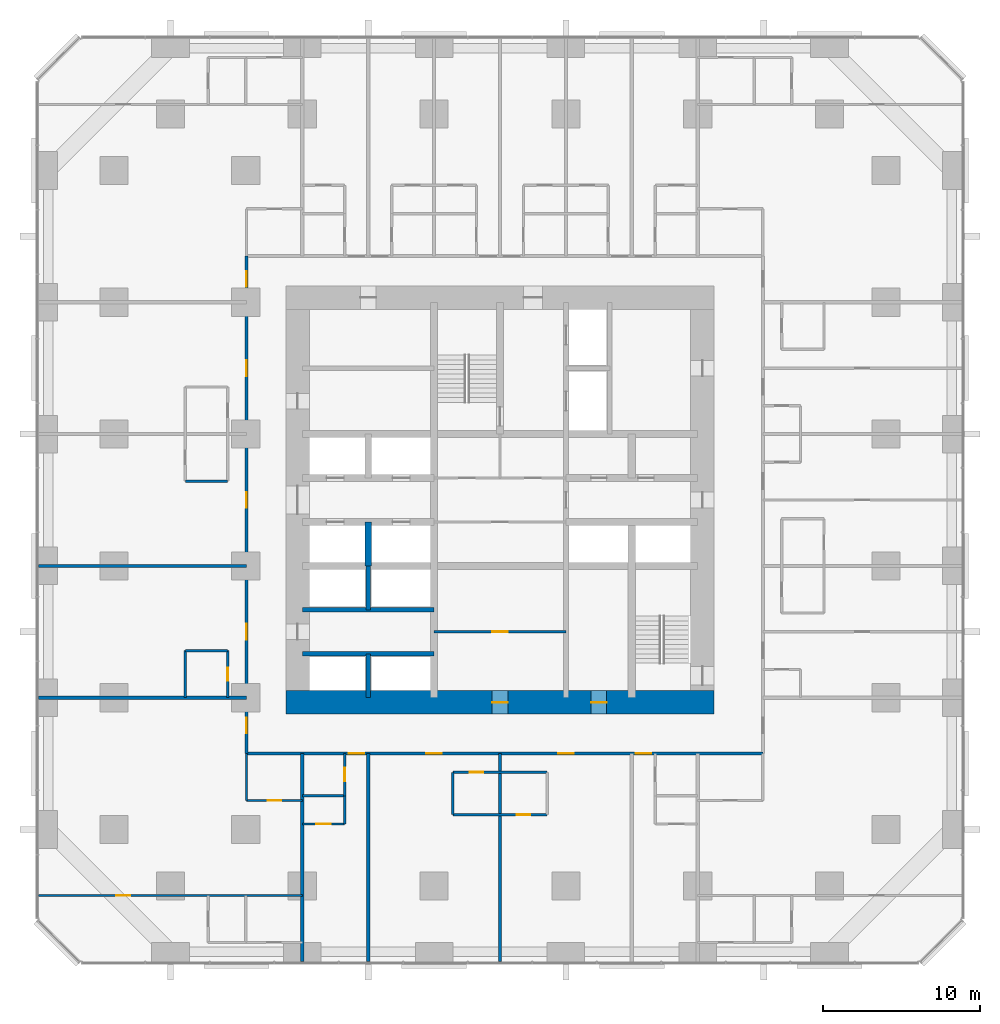
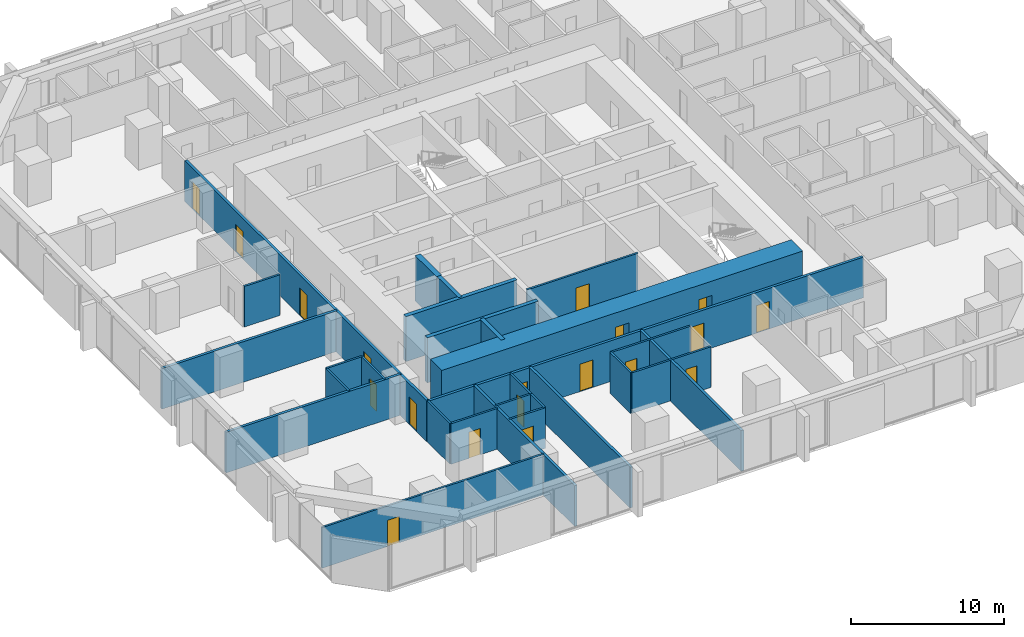
# One storey, part 11 of 17: 28 walls, 19 doors, 19 openings.
"""IFC4 building model written with IfcOpenShell, lengths in metres."""

from ifc_helpers import new_model, si_unit, direction, frame, frame_2d, origin, place, context, subcontext, project, spatial, rectangle, extrude, material, layer, layer_set, type_object, element, fill, save


model = new_model("IFC4")

# Units and contexts
model_context = context("Model", 3, precision=1e-05, world=origin(), true_north=direction((0.0, 1.0)))
body_context = subcontext(model_context, "Body", "Model", "MODEL_VIEW")
ifc_project = project(units=[si_unit("LENGTHUNIT", "METRE"), si_unit("AREAUNIT", "SQUARE_METRE"), si_unit("VOLUMEUNIT", "CUBIC_METRE"), si_unit("PLANEANGLEUNIT", "RADIAN"), si_unit("MASSUNIT", "GRAM", prefix="KILO")], contexts=[model_context])

# Site, building, storey
site_placement = place(None, origin())
site = spatial("IfcSite", under=ifc_project, at=site_placement, CompositionType="ELEMENT")
building_placement = place(site_placement, origin())
building = spatial("IfcBuilding", under=site, at=building_placement, Name="Dunama Terrace Hotel", CompositionType="ELEMENT")
storey_placement = place(building_placement, frame((0.0, 0.0, 66.60009765625)))
storey = spatial("IfcBuildingStorey", under=building, at=storey_placement, Name="L16", CompositionType="ELEMENT", Elevation=66.60009765625)

# Wall
ifc_material_1 = material(Name="Gypsum board partition", Category="masonry")
ifc_layer_1 = layer(ifc_material_1, 0.14990234375)
ifc_layer_set_1 = layer_set([ifc_layer_1], Name="Bathroom partition 150")
wall_type_1 = type_object("IfcWallType", Name="Bathroom partition 150", PredefinedType="PARTITIONING", material=ifc_layer_set_1)
wall_1_placement = place(storey_placement, frame((9.35009765625, 16.800048828125, 0.0), z_axis=(0.0, 0.0, 1.0), x_axis=(0.0, 1.0, 0.0)))
element("IfcWall", 1, at=wall_1_placement, inside=storey, type_object=wall_type_1, Name="Bathroom partition 150 L16", PredefinedType="PARTITIONING", context=body_context, shape_type="SweptSolid", body=[
    extrude(rectangle(XDim=3.0, YDim=0.14990234375, at=frame_2d((1.5, 0.0))), origin(), (0.0, 0.0, 1.0), 3.25),
])

# Wall, opening, door
wall_2_placement = place(storey_placement, frame((12.050048828125, 16.800048828125, 0.0), z_axis=(0.0, 0.0, 1.0), x_axis=(0.0, 1.0, 0.0)))
wall_2 = element("IfcWall", 2, at=wall_2_placement, inside=storey, type_object=wall_type_1, Name="Bathroom partition 150 L16", PredefinedType="PARTITIONING", context=body_context, shape_type="SweptSolid", body=[
    extrude(rectangle(XDim=3.0, YDim=0.14990234375, at=frame_2d((1.5, 0.0))), origin(), (0.0, 0.0, 1.0), 3.25),
])
opening_1_placement = place(wall_2_placement, frame((1.074951171875, 0.0, 0.0)))
opening_1 = element("IfcOpeningElement", 3, at=opening_1_placement, cuts=wall_2, Name="Opening L15-16-050", PredefinedType="OPENING", context=body_context, shape_type="SweptSolid", body=[
    extrude(rectangle(XDim=0.85009765625, YDim=2.10009765625, at=frame_2d((0.425048828125, 1.050048828125))), frame((0.0, 0.0849609375, 0.0), z_axis=(0.0, -1.0, 0.0), x_axis=(1.0, 0.0, 0.0)), (0.0, 0.0, 1.0), 0.169921875),
])
ifc_material_2 = material(Name="Timber door with steel frame", Category="steel")
door_type_1 = type_object("IfcDoorType", Name="Bathroom door 850", OperationType="SINGLE_SWING_LEFT", PredefinedType="DOOR", material=ifc_material_2)
door_1_placement = place(opening_1_placement, origin())
door_1 = element("IfcDoor", 4, at=door_1_placement, inside=storey, type_object=door_type_1, Name="Door to en-suite bathroom L15-16-050, type D2", OperationType="SINGLE_SWING_LEFT", OverallHeight=2.10009765625, OverallWidth=0.85009765625, PredefinedType="DOOR", context=body_context, shape_type="SweptSolid", body=[
    extrude(rectangle(XDim=0.85009765625, YDim=2.10009765625, at=frame_2d((0.425048828125, 1.050048828125))), frame((0.0, 0.02490234375, 0.0), z_axis=(0.0, -1.0, 0.0), x_axis=(1.0, 0.0, 0.0)), (0.0, 0.0, 1.0), 0.050048828125),
])
fill(opening_1, door_1)

# Wall
wall_3_placement = place(storey_placement, frame((13.25, 10.25, 0.0), z_axis=(0.0, 0.0, 1.0), x_axis=(0.0, 1.0, 0.0)))
element("IfcWall", 5, at=wall_3_placement, inside=storey, type_object=wall_type_1, Name="Bathroom partition 150 L16", PredefinedType="PARTITIONING", context=body_context, shape_type="SweptSolid", body=[
    extrude(rectangle(XDim=3.0, YDim=0.14990234375, at=frame_2d((1.5, 0.0))), origin(), (0.0, 0.0, 1.0), 3.25),
])

# Wall, opening, door
wall_4_placement = place(storey_placement, frame((19.5, 10.550048828125, 0.0), z_axis=(0.0, 0.0, 1.0), x_axis=(0.0, 1.0, 0.0)))
wall_4 = element("IfcWall", 6, at=wall_4_placement, inside=storey, type_object=wall_type_1, Name="Bathroom partition 150 L16", PredefinedType="PARTITIONING", context=body_context, shape_type="SweptSolid", body=[
    extrude(rectangle(XDim=2.699951171875, YDim=0.14990234375, at=frame_2d((1.35009765625, 0.0))), origin(), (0.0, 0.0, 1.0), 3.25),
])
opening_2_placement = place(wall_4_placement, frame((0.925048828125, 0.0, 0.0)))
opening_2 = element("IfcOpeningElement", 7, at=opening_2_placement, cuts=wall_4, Name="Opening L15-16-010", PredefinedType="OPENING", context=body_context, shape_type="SweptSolid", body=[
    extrude(rectangle(XDim=0.85009765625, YDim=2.10009765625, at=frame_2d((0.425048828125, 1.050048828125))), frame((0.0, 0.0849609375, 0.0), z_axis=(0.0, -1.0, 0.0), x_axis=(1.0, 0.0, 0.0)), (0.0, 0.0, 1.0), 0.169921875),
])
door_2_placement = place(opening_2_placement, origin())
door_2 = element("IfcDoor", 8, at=door_2_placement, inside=storey, type_object=door_type_1, Name="Door to en-suite bathroom L15-16-010, type D2", OperationType="SINGLE_SWING_RIGHT", OverallHeight=2.10009765625, OverallWidth=0.85009765625, PredefinedType="DOOR", context=body_context, shape_type="SweptSolid", body=[
    extrude(rectangle(XDim=0.85009765625, YDim=2.10009765625, at=frame_2d((0.425048828125, 1.050048828125))), frame((0.0, 0.02490234375, 0.0), z_axis=(0.0, -1.0, 0.0), x_axis=(1.0, 0.0, 0.0)), (0.0, 0.0, 1.0), 0.050048828125),
])
fill(opening_2, door_2)

# Wall
wall_5_placement = place(storey_placement, frame((26.39990234375, 9.35009765625, 0.0), z_axis=(0.0, 0.0, 1.0), x_axis=(0.0, 1.0, 0.0)))
element("IfcWall", 9, at=wall_5_placement, inside=storey, type_object=wall_type_1, Name="Bathroom partition 150 L16", PredefinedType="PARTITIONING", context=body_context, shape_type="SweptSolid", body=[
    extrude(rectangle(XDim=2.699951171875, YDim=0.14990234375, at=frame_2d((1.35009765625, 0.0))), origin(), (0.0, 0.0, 1.0), 3.25),
])

# Wall, opening, door
wall_6_placement = place(storey_placement, frame((26.39990234375, 9.35009765625, 0.0), z_axis=(0.0, 0.0, 1.0), x_axis=(1.0, 0.0, 0.0)))
wall_6 = element("IfcWall", 10, at=wall_6_placement, inside=storey, type_object=wall_type_1, Name="Bathroom partition 150 L16", PredefinedType="PARTITIONING", context=body_context, shape_type="SweptSolid", body=[
    extrude(rectangle(XDim=6.0, YDim=0.14990234375, at=frame_2d((3.0, 0.0))), origin(), (0.0, 0.0, 1.0), 3.25),
])
opening_3_placement = place(wall_6_placement, frame((4.074951171875, 0.0, 0.0)))
opening_3 = element("IfcOpeningElement", 11, at=opening_3_placement, cuts=wall_6, Name="Opening L15-16-015", PredefinedType="OPENING", context=body_context, shape_type="SweptSolid", body=[
    extrude(rectangle(XDim=0.85009765625, YDim=2.10009765625, at=frame_2d((0.425048828125, 1.050048828125))), frame((0.0, 0.0849609375, 0.0), z_axis=(0.0, -1.0, 0.0), x_axis=(1.0, 0.0, 0.0)), (0.0, 0.0, 1.0), 0.169921875),
])
door_3_placement = place(opening_3_placement, origin())
door_3 = element("IfcDoor", 12, at=door_3_placement, inside=storey, type_object=door_type_1, Name="Door to en-suite bathroom L15-16-015, type D2", OperationType="SINGLE_SWING_LEFT", OverallHeight=2.10009765625, OverallWidth=0.85009765625, PredefinedType="DOOR", context=body_context, shape_type="SweptSolid", body=[
    extrude(rectangle(XDim=0.85009765625, YDim=2.10009765625, at=frame_2d((0.425048828125, 1.050048828125))), frame((0.0, 0.02490234375, 0.0), z_axis=(0.0, -1.0, 0.0), x_axis=(1.0, 0.0, 0.0)), (0.0, 0.0, 1.0), 0.050048828125),
])
fill(opening_3, door_3)

wall_7_placement = place(storey_placement, frame((13.25, 10.25, 0.0), z_axis=(0.0, 0.0, 1.0), x_axis=(1.0, 0.0, 0.0)))
wall_7 = element("IfcWall", 13, at=wall_7_placement, inside=storey, type_object=wall_type_1, Name="Bathroom partition 150 L16", PredefinedType="PARTITIONING", context=body_context, shape_type="SweptSolid", body=[
    extrude(rectangle(XDim=3.550048828125, YDim=0.14990234375, at=frame_2d((1.77490234375, 0.0))), origin(), (0.0, 0.0, 1.0), 3.25),
])
opening_4_placement = place(wall_7_placement, frame((1.35009765625, 0.0, 0.0)))
opening_4 = element("IfcOpeningElement", 14, at=opening_4_placement, cuts=wall_7, Name="Opening L15-16-056", PredefinedType="OPENING", context=body_context, shape_type="SweptSolid", body=[
    extrude(rectangle(XDim=0.85009765625, YDim=2.10009765625, at=frame_2d((0.425048828125, 1.050048828125))), frame((0.0, 0.0849609375, 0.0), z_axis=(0.0, -1.0, 0.0), x_axis=(1.0, 0.0, 0.0)), (0.0, 0.0, 1.0), 0.169921875),
])
door_4_placement = place(opening_4_placement, origin())
door_4 = element("IfcDoor", 15, at=door_4_placement, inside=storey, type_object=door_type_1, Name="Door to powder room L15-16-056, type D2", OperationType="SINGLE_SWING_LEFT", OverallHeight=2.10009765625, OverallWidth=0.85009765625, PredefinedType="DOOR", context=body_context, shape_type="SweptSolid", body=[
    extrude(rectangle(XDim=0.85009765625, YDim=2.10009765625, at=frame_2d((0.425048828125, 1.050048828125))), frame((0.0, 0.02490234375, 0.0), z_axis=(0.0, -1.0, 0.0), x_axis=(1.0, 0.0, 0.0)), (0.0, 0.0, 1.0), 0.050048828125),
])
fill(opening_4, door_4)

wall_8_placement = place(storey_placement, frame((26.39990234375, 12.050048828125, 0.0), z_axis=(0.0, 0.0, 1.0), x_axis=(1.0, 0.0, 0.0)))
wall_8 = element("IfcWall", 16, at=wall_8_placement, inside=storey, type_object=wall_type_1, Name="Bathroom partition 150 L16", PredefinedType="PARTITIONING", context=body_context, shape_type="SweptSolid", body=[
    extrude(rectangle(XDim=6.0, YDim=0.14990234375, at=frame_2d((3.0, 0.0))), origin(), (0.0, 0.0, 1.0), 3.25),
])
opening_5_placement = place(wall_8_placement, frame((1.074951171875, 0.0, 0.0)))
opening_5 = element("IfcOpeningElement", 17, at=opening_5_placement, cuts=wall_8, Name="Opening L15-16-013", PredefinedType="OPENING", context=body_context, shape_type="SweptSolid", body=[
    extrude(rectangle(XDim=0.85009765625, YDim=2.10009765625, at=frame_2d((0.425048828125, 1.050048828125))), frame((0.0, 0.0849609375, 0.0), z_axis=(0.0, -1.0, 0.0), x_axis=(1.0, 0.0, 0.0)), (0.0, 0.0, 1.0), 0.169921875),
])
door_5_placement = place(opening_5_placement, frame((0.85009765625, 0.0, 0.0), z_axis=(0.0, 0.0, 1.0), x_axis=(-1.0, 0.0, 0.0)))
door_5 = element("IfcDoor", 18, at=door_5_placement, inside=storey, type_object=door_type_1, Name="Door to en-suite bathroom L15-16-013, type D2", OperationType="SINGLE_SWING_LEFT", OverallHeight=2.10009765625, OverallWidth=0.85009765625, PredefinedType="DOOR", context=body_context, shape_type="SweptSolid", body=[
    extrude(rectangle(XDim=0.85009765625, YDim=2.10009765625, at=frame_2d((0.425048828125, 1.050048828125))), frame((0.0, 0.025146484375, 0.0), z_axis=(0.0, -1.0, 0.0), x_axis=(1.0, 0.0, 0.0)), (0.0, 0.0, 1.0), 0.050048828125),
])
fill(opening_5, door_5)

# Walls
for number, where, z_axis, x_axis, name in (
    (19, (9.35009765625, 19.800048828125, 0.0), (0.0, 0.0, 1.0), (1.0, 0.0, 0.0), "Bathroom partition 150 L16"),
    (20, (9.35009765625, 30.60009765625, 0.0), (0.0, 0.0, 1.0), (1.0, 0.0, 0.0), "Bathroom partition 150 L16"),
):
    element("IfcWall", number, at=place(storey_placement, frame(where, z_axis=z_axis, x_axis=x_axis)), inside=storey, type_object=wall_type_1, Name=name, PredefinedType="PARTITIONING", context=body_context, shape_type="SweptSolid", body=[
        extrude(rectangle(XDim=2.699951171875, YDim=0.14990234375, at=frame_2d((1.35009765625, 0.0))), origin(), (0.0, 0.0, 1.0), 3.25),
    ])
ifc_material_3 = material(Name="Concrete C50/60", Category="concrete")
ifc_layer_2 = layer(ifc_material_3, 0.300048828125)
ifc_layer_set_2 = layer_set([ifc_layer_2], Name="Core inner wall 300")
wall_type_2 = type_object("IfcWallType", Name="Core inner wall 300", PredefinedType="SHEAR", material=ifc_layer_set_2)
for number, where, z_axis, x_axis, name in (
    (21, (21.0, 16.800048828125, -0.35009765625), (0.0, 0.0, 1.0), (0.0, 1.0, 0.0), "Core inner wall 300 L16"),
    (22, (21.0, 22.39990234375, -0.35009765625), (0.0, 0.0, 1.0), (0.0, 1.0, 0.0), "Core inner wall 300 L16"),
):
    element("IfcWall", number, at=place(storey_placement, frame(where, z_axis=z_axis, x_axis=x_axis)), inside=storey, type_object=wall_type_2, Name=name, PredefinedType="SHEAR", context=body_context, shape_type="SweptSolid", body=[
        extrude(rectangle(XDim=2.800048828125, YDim=0.300048828125, at=frame_2d((1.39990234375, 0.0))), origin(), (0.0, 0.0, 1.0), 3.60009765625),
    ])
for number, where, z_axis, x_axis, name in (
    (23, (16.800048828125, 19.60009765625, -0.35009765625), (0.0, 0.0, 1.0), (1.0, 0.0, 0.0), "Core inner wall 300 L16"),
    (24, (16.800048828125, 22.39990234375, -0.35009765625), (0.0, 0.0, 1.0), (1.0, 0.0, 0.0), "Core inner wall 300 L16"),
):
    element("IfcWall", number, at=place(storey_placement, frame(where, z_axis=z_axis, x_axis=x_axis)), inside=storey, type_object=wall_type_2, Name=name, PredefinedType="SHEAR", context=body_context, shape_type="SweptSolid", body=[
        extrude(rectangle(XDim=8.39990234375, YDim=0.300048828125, at=frame_2d((4.199951171875, 0.0))), origin(), (0.0, 0.0, 1.0), 3.60009765625),
    ])
ifc_material_4 = material(Name="Concrete C50/60", Category="concrete")
ifc_layer_3 = layer(ifc_material_4, 0.39990234375)
ifc_layer_set_3 = layer_set([ifc_layer_3], Name="Core inner wall 400")
wall_type_3 = type_object("IfcWallType", Name="Core inner wall 400", PredefinedType="SHEAR", material=ifc_layer_set_3)
wall_9_placement = place(storey_placement, frame((21.0, 25.199951171875, -0.35009765625), z_axis=(0.0, 0.0, 1.0), x_axis=(0.0, 1.0, 0.0)))
element("IfcWall", 25, at=wall_9_placement, inside=storey, type_object=wall_type_3, Name="Core inner wall 400 L16", PredefinedType="SHEAR", context=body_context, shape_type="SweptSolid", body=[
    extrude(rectangle(XDim=2.800048828125, YDim=0.39990234375, at=frame_2d((1.39990234375, 0.0))), origin(), (0.0, 0.0, 1.0), 3.60009765625),
])

# Wall, openings, doors
ifc_material_5 = material(Name="Concrete C60/75", Category="concrete")
ifc_layer_4 = layer(ifc_material_5, 1.5)
ifc_layer_set_4 = layer_set([ifc_layer_4], Name="Core wall 1500")
wall_type_4 = type_object("IfcWallType", Name="Core wall 1500", PredefinedType="SHEAR", material=ifc_layer_set_4)
wall_10_placement = place(storey_placement, frame((15.75, 16.5, -0.35009765625), z_axis=(0.0, 0.0, 1.0), x_axis=(1.0, 0.0, 0.0)))
wall_10 = element("IfcWall", 26, at=wall_10_placement, inside=storey, type_object=wall_type_4, Name="Core wall south L16", PredefinedType="SHEAR", context=body_context, shape_type="SweptSolid", body=[
    extrude(rectangle(XDim=27.300048828125, YDim=1.5, at=frame_2d((13.64990234375, 0.0))), origin(), (0.0, 0.0, 1.0), 3.60009765625),
])
opening_6_placement = place(wall_10_placement, frame((13.14990234375, 0.0, 0.35009765625)))
opening_6 = element("IfcOpeningElement", 27, at=opening_6_placement, cuts=wall_10, Name="Opening L15-16-088", PredefinedType="OPENING", context=body_context, shape_type="SweptSolid", body=[
    extrude(rectangle(XDim=1.0, YDim=2.10009765625, at=frame_2d((0.5, 1.050048828125))), frame((0.0, 0.760009765625, 0.0), z_axis=(0.0, -1.0, 0.0), x_axis=(1.0, 0.0, 0.0)), (0.0, 0.0, 1.0), 1.52001953125),
])
opening_7_placement = place(wall_10_placement, frame((19.449951171875, 0.0, 0.35009765625)))
opening_7 = element("IfcOpeningElement", 28, at=opening_7_placement, cuts=wall_10, Name="Opening L15-16-090", PredefinedType="OPENING", context=body_context, shape_type="SweptSolid", body=[
    extrude(rectangle(XDim=1.0, YDim=2.10009765625, at=frame_2d((0.5, 1.050048828125))), frame((0.0, 0.760009765625, 0.0), z_axis=(0.0, -1.0, 0.0), x_axis=(1.0, 0.0, 0.0)), (0.0, 0.0, 1.0), 1.52001953125),
])
ifc_material_6 = material(Name="Timber door with steel frame", Category="steel")
door_type_2 = type_object("IfcDoorType", Name="Service door 1000", OperationType="SINGLE_SWING_LEFT", PredefinedType="DOOR", material=ifc_material_6)
door_6_placement = place(opening_6_placement, origin())
door_6 = element("IfcDoor", 29, at=door_6_placement, inside=storey, type_object=door_type_2, Name="Door to corridor air handling room L15-16-088, type D7", OperationType="SINGLE_SWING_LEFT", OverallHeight=2.10009765625, OverallWidth=1.0, PredefinedType="DOOR", context=body_context, shape_type="SweptSolid", body=[
    extrude(rectangle(XDim=1.0, YDim=2.10009765625, at=frame_2d((0.5, 1.050048828125))), frame((0.0, 0.02490234375, 0.0), z_axis=(0.0, -1.0, 0.0), x_axis=(1.0, 0.0, 0.0)), (0.0, 0.0, 1.0), 0.050048828125),
])
fill(opening_6, door_6)
door_7_placement = place(opening_7_placement, origin())
door_7 = element("IfcDoor", 30, at=door_7_placement, inside=storey, type_object=door_type_2, Name="Door to water riser room L15-16-090, type D7", OperationType="SINGLE_SWING_RIGHT", OverallHeight=2.10009765625, OverallWidth=1.0, PredefinedType="DOOR", context=body_context, shape_type="SweptSolid", body=[
    extrude(rectangle(XDim=1.0, YDim=2.10009765625, at=frame_2d((0.5, 1.050048828125))), frame((0.0, 0.02490234375, 0.0), z_axis=(0.0, -1.0, 0.0), x_axis=(1.0, 0.0, 0.0)), (0.0, 0.0, 1.0), 0.050048828125),
])
fill(opening_7, door_7)

ifc_material_7 = material(Name="Concrete blockwork", Category="masonry")
ifc_layer_5 = layer(ifc_material_7, 0.199951171875)
ifc_layer_set_5 = layer_set([ifc_layer_5], Name="Corridor partition 200")
wall_type_5 = type_object("IfcWallType", Name="Corridor partition 200", PredefinedType="PARTITIONING", material=ifc_layer_set_5)
wall_11_placement = place(storey_placement, frame((13.25, 13.25, 0.0), z_axis=(0.0, 0.0, 1.0), x_axis=(0.0, 1.0, 0.0)))
wall_11 = element("IfcWall", 31, at=wall_11_placement, inside=storey, type_object=wall_type_5, Name="Corridor partition 200 L16", PredefinedType="PARTITIONING", context=body_context, shape_type="SweptSolid", body=[
    extrude(rectangle(XDim=31.699951171875, YDim=0.199951171875, at=frame_2d((15.85009765625, 0.0))), origin(), (0.0, 0.0, 1.0), 3.25),
])
opening_8_placement = place(wall_11_placement, frame((7.25, 0.0, 0.0)))
opening_8 = element("IfcOpeningElement", 32, at=opening_8_placement, cuts=wall_11, Name="Opening L15-16-049", PredefinedType="OPENING", context=body_context, shape_type="SweptSolid", body=[
    extrude(rectangle(XDim=1.0, YDim=2.199951171875, at=frame_2d((0.5, 1.10009765625))), frame((0.0, 0.10986328125, 0.0), z_axis=(0.0, -1.0, 0.0), x_axis=(1.0, 0.0, 0.0)), (0.0, 0.0, 1.0), 0.219970703125),
])
opening_9_placement = place(wall_11_placement, frame((15.64990234375, 0.0, 0.0)))
opening_9 = element("IfcOpeningElement", 33, at=opening_9_placement, cuts=wall_11, Name="Opening L15-16-051", PredefinedType="OPENING", context=body_context, shape_type="SweptSolid", body=[
    extrude(rectangle(XDim=1.0, YDim=2.199951171875, at=frame_2d((0.5, 1.10009765625))), frame((0.0, 0.10986328125, 0.0), z_axis=(0.0, -1.0, 0.0), x_axis=(1.0, 0.0, 0.0)), (0.0, 0.0, 1.0), 0.219970703125),
])
opening_10_placement = place(wall_11_placement, frame((24.050048828125, 0.0, 0.0)))
opening_10 = element("IfcOpeningElement", 34, at=opening_10_placement, cuts=wall_11, Name="Opening L15-16-053", PredefinedType="OPENING", context=body_context, shape_type="SweptSolid", body=[
    extrude(rectangle(XDim=1.0, YDim=2.199951171875, at=frame_2d((0.5, 1.10009765625))), frame((0.0, 0.10986328125, 0.0), z_axis=(0.0, -1.0, 0.0), x_axis=(1.0, 0.0, 0.0)), (0.0, 0.0, 1.0), 0.219970703125),
])
opening_11_placement = place(wall_11_placement, frame((1.27490234375, 0.0, 0.0)))
opening_11 = element("IfcOpeningElement", 35, at=opening_11_placement, cuts=wall_11, Name="Opening L15-16-055", PredefinedType="OPENING", context=body_context, shape_type="SweptSolid", body=[
    extrude(rectangle(XDim=1.0, YDim=2.199951171875, at=frame_2d((0.5, 1.10009765625))), frame((0.0, 0.10986328125, 0.0), z_axis=(0.0, -1.0, 0.0), x_axis=(1.0, 0.0, 0.0)), (0.0, 0.0, 1.0), 0.219970703125),
])
opening_12_placement = place(wall_11_placement, frame((29.72509765625, 0.0, 0.0)))
opening_12 = element("IfcOpeningElement", 36, at=opening_12_placement, cuts=wall_11, Name="Opening L15-16-070", PredefinedType="OPENING", context=body_context, shape_type="SweptSolid", body=[
    extrude(rectangle(XDim=1.0, YDim=2.199951171875, at=frame_2d((0.5, 1.10009765625))), frame((0.0, 0.10986328125, 0.0), z_axis=(0.0, -1.0, 0.0), x_axis=(1.0, 0.0, 0.0)), (0.0, 0.0, 1.0), 0.219970703125),
])
ifc_material_8 = material(Name="Timber door with steel frame", Category="steel")
door_type_3 = type_object("IfcDoorType", Name="Guest room door 1000", OperationType="SINGLE_SWING_LEFT", PredefinedType="DOOR", material=ifc_material_8)
door_8_placement = place(opening_8_placement, origin())
door_8 = element("IfcDoor", 37, at=door_8_placement, inside=storey, type_object=door_type_3, Name="Door to junior suite L15-16-049, type D1", OperationType="SINGLE_SWING_LEFT", OverallHeight=2.199951171875, OverallWidth=1.0, PredefinedType="DOOR", context=body_context, shape_type="SweptSolid", body=[
    extrude(rectangle(XDim=1.0, YDim=2.199951171875, at=frame_2d((0.5, 1.10009765625))), frame((0.0, 0.02490234375, 0.0), z_axis=(0.0, -1.0, 0.0), x_axis=(1.0, 0.0, 0.0)), (0.0, 0.0, 1.0), 0.050048828125),
])
fill(opening_8, door_8)
door_9_placement = place(opening_9_placement, origin())
door_9 = element("IfcDoor", 38, at=door_9_placement, inside=storey, type_object=door_type_3, Name="Door to junior suite L15-16-051, type D1", OperationType="SINGLE_SWING_RIGHT", OverallHeight=2.199951171875, OverallWidth=1.0, PredefinedType="DOOR", context=body_context, shape_type="SweptSolid", body=[
    extrude(rectangle(XDim=1.0, YDim=2.199951171875, at=frame_2d((0.5, 1.10009765625))), frame((0.0, 0.02490234375, 0.0), z_axis=(0.0, -1.0, 0.0), x_axis=(1.0, 0.0, 0.0)), (0.0, 0.0, 1.0), 0.050048828125),
])
fill(opening_9, door_9)
door_10_placement = place(opening_10_placement, origin())
door_10 = element("IfcDoor", 39, at=door_10_placement, inside=storey, type_object=door_type_3, Name="Door to junior suite L15-16-053, type D1", OperationType="SINGLE_SWING_LEFT", OverallHeight=2.199951171875, OverallWidth=1.0, PredefinedType="DOOR", context=body_context, shape_type="SweptSolid", body=[
    extrude(rectangle(XDim=1.0, YDim=2.199951171875, at=frame_2d((0.5, 1.10009765625))), frame((0.0, 0.02490234375, 0.0), z_axis=(0.0, -1.0, 0.0), x_axis=(1.0, 0.0, 0.0)), (0.0, 0.0, 1.0), 0.050048828125),
])
fill(opening_10, door_10)
door_11_placement = place(opening_11_placement, origin())
door_11 = element("IfcDoor", 40, at=door_11_placement, inside=storey, type_object=door_type_3, Name="Door to corner suite living room L15-16-055, type D1", OperationType="SINGLE_SWING_RIGHT", OverallHeight=2.199951171875, OverallWidth=1.0, PredefinedType="DOOR", context=body_context, shape_type="SweptSolid", body=[
    extrude(rectangle(XDim=1.0, YDim=2.199951171875, at=frame_2d((0.5, 1.10009765625))), frame((0.0, 0.02490234375, 0.0), z_axis=(0.0, -1.0, 0.0), x_axis=(1.0, 0.0, 0.0)), (0.0, 0.0, 1.0), 0.050048828125),
])
fill(opening_11, door_11)
door_12_placement = place(opening_12_placement, origin())
door_12 = element("IfcDoor", 41, at=door_12_placement, inside=storey, type_object=door_type_3, Name="Door to corner suite living room L15-16-070, type D1", OperationType="SINGLE_SWING_LEFT", OverallHeight=2.199951171875, OverallWidth=1.0, PredefinedType="DOOR", context=body_context, shape_type="SweptSolid", body=[
    extrude(rectangle(XDim=1.0, YDim=2.199951171875, at=frame_2d((0.5, 1.10009765625))), frame((0.0, 0.02490234375, 0.0), z_axis=(0.0, -1.0, 0.0), x_axis=(1.0, 0.0, 0.0)), (0.0, 0.0, 1.0), 0.050048828125),
])
fill(opening_12, door_12)

wall_12_placement = place(storey_placement, frame((46.14990234375, 13.25, 0.0), z_axis=(0.0, 0.0, 1.0), x_axis=(-1.0, 0.0, 0.0)))
wall_12 = element("IfcWall", 42, at=wall_12_placement, inside=storey, type_object=wall_type_5, Name="Corridor partition 200 L16", PredefinedType="PARTITIONING", context=body_context, shape_type="SweptSolid", body=[
    extrude(rectangle(XDim=32.89990234375, YDim=0.199951171875, at=frame_2d((16.449951171875, 0.0))), origin(), (0.0, 0.0, 1.0), 3.25),
])
opening_13_placement = place(wall_12_placement, frame((25.39990234375, 0.0, 0.0)))
opening_13 = element("IfcOpeningElement", 43, at=opening_13_placement, cuts=wall_12, Name="Opening L15-16-009", PredefinedType="OPENING", context=body_context, shape_type="SweptSolid", body=[
    extrude(rectangle(XDim=1.0, YDim=2.199951171875, at=frame_2d((0.5, 1.10009765625))), frame((0.0, 0.10986328125, 0.0), z_axis=(0.0, -1.0, 0.0), x_axis=(1.0, 0.0, 0.0)), (0.0, 0.0, 1.0), 0.219970703125),
])
opening_14_placement = place(wall_12_placement, frame((20.449951171875, 0.0, 0.0)))
opening_14 = element("IfcOpeningElement", 44, at=opening_14_placement, cuts=wall_12, Name="Opening L15-16-012", PredefinedType="OPENING", context=body_context, shape_type="SweptSolid", body=[
    extrude(rectangle(XDim=1.0, YDim=2.199951171875, at=frame_2d((0.5, 1.10009765625))), frame((0.0, 0.10986328125, 0.0), z_axis=(0.0, -1.0, 0.0), x_axis=(1.0, 0.0, 0.0)), (0.0, 0.0, 1.0), 0.219970703125),
])
opening_15_placement = place(wall_12_placement, frame((12.050048828125, 0.0, 0.0)))
opening_15 = element("IfcOpeningElement", 45, at=opening_15_placement, cuts=wall_12, Name="Opening L15-16-014", PredefinedType="OPENING", context=body_context, shape_type="SweptSolid", body=[
    extrude(rectangle(XDim=1.0, YDim=2.199951171875, at=frame_2d((0.5, 1.10009765625))), frame((0.0, 0.10986328125, 0.0), z_axis=(0.0, -1.0, 0.0), x_axis=(1.0, 0.0, 0.0)), (0.0, 0.0, 1.0), 0.219970703125),
])
opening_16_placement = place(wall_12_placement, frame((7.10009765625, 0.0, 0.0)))
opening_16 = element("IfcOpeningElement", 46, at=opening_16_placement, cuts=wall_12, Name="Opening L15-16-016", PredefinedType="OPENING", context=body_context, shape_type="SweptSolid", body=[
    extrude(rectangle(XDim=1.0, YDim=2.199951171875, at=frame_2d((0.5, 1.10009765625))), frame((0.0, 0.10986328125, 0.0), z_axis=(0.0, -1.0, 0.0), x_axis=(1.0, 0.0, 0.0)), (0.0, 0.0, 1.0), 0.219970703125),
])
door_13_placement = place(opening_13_placement, origin())
door_13 = element("IfcDoor", 47, at=door_13_placement, inside=storey, type_object=door_type_3, Name="Door to deluxe room L15-16-009, type D1", OperationType="SINGLE_SWING_LEFT", OverallHeight=2.199951171875, OverallWidth=1.0, PredefinedType="DOOR", context=body_context, shape_type="SweptSolid", body=[
    extrude(rectangle(XDim=1.0, YDim=2.199951171875, at=frame_2d((0.5, 1.10009765625))), frame((0.0, 0.02490234375, 0.0), z_axis=(0.0, -1.0, 0.0), x_axis=(1.0, 0.0, 0.0)), (0.0, 0.0, 1.0), 0.050048828125),
])
fill(opening_13, door_13)
door_14_placement = place(opening_14_placement, origin())
door_14 = element("IfcDoor", 48, at=door_14_placement, inside=storey, type_object=door_type_3, Name="Door to junior suite L15-16-012, type D1", OperationType="SINGLE_SWING_LEFT", OverallHeight=2.199951171875, OverallWidth=1.0, PredefinedType="DOOR", context=body_context, shape_type="SweptSolid", body=[
    extrude(rectangle(XDim=1.0, YDim=2.199951171875, at=frame_2d((0.5, 1.10009765625))), frame((0.0, 0.02490234375, 0.0), z_axis=(0.0, -1.0, 0.0), x_axis=(1.0, 0.0, 0.0)), (0.0, 0.0, 1.0), 0.050048828125),
])
fill(opening_14, door_14)
door_15_placement = place(opening_15_placement, origin())
door_15 = element("IfcDoor", 49, at=door_15_placement, inside=storey, type_object=door_type_3, Name="Door to junior suite L15-16-014, type D1", OperationType="SINGLE_SWING_RIGHT", OverallHeight=2.199951171875, OverallWidth=1.0, PredefinedType="DOOR", context=body_context, shape_type="SweptSolid", body=[
    extrude(rectangle(XDim=1.0, YDim=2.199951171875, at=frame_2d((0.5, 1.10009765625))), frame((0.0, 0.02490234375, 0.0), z_axis=(0.0, -1.0, 0.0), x_axis=(1.0, 0.0, 0.0)), (0.0, 0.0, 1.0), 0.050048828125),
])
fill(opening_15, door_15)
door_16_placement = place(opening_16_placement, origin())
door_16 = element("IfcDoor", 50, at=door_16_placement, inside=storey, type_object=door_type_3, Name="Door to deluxe room L15-16-016, type D1", OperationType="SINGLE_SWING_RIGHT", OverallHeight=2.199951171875, OverallWidth=1.0, PredefinedType="DOOR", context=body_context, shape_type="SweptSolid", body=[
    extrude(rectangle(XDim=1.0, YDim=2.199951171875, at=frame_2d((0.5, 1.10009765625))), frame((0.0, 0.02490234375, 0.0), z_axis=(0.0, -1.0, 0.0), x_axis=(1.0, 0.0, 0.0)), (0.0, 0.0, 1.0), 0.050048828125),
])
fill(opening_16, door_16)

# Walls
ifc_material_9 = material(Name="Concrete blockwork", Category="masonry")
ifc_layer_6 = layer(ifc_material_9, 0.199951171875)
ifc_layer_set_6 = layer_set([ifc_layer_6], Name="Party wall 200")
wall_type_6 = type_object("IfcWallType", Name="Party wall 200", PredefinedType="PARTITIONING", material=ifc_layer_set_6)
for number, where, z_axis, x_axis, name in (
    (51, (16.800048828125, -0.008056640625, 0.0), (0.0, 0.0, 1.0), (0.0, 1.0, 0.0), "Party wall 200 L16"),
    (52, (21.0, -0.008056640625, 0.0), (0.0, 0.0, 1.0), (0.0, 1.0, 0.0), "Party wall 200 L16"),
    (53, (29.39990234375, -0.008056640625, 0.0), (0.0, 0.0, 1.0), (0.0, 1.0, 0.0), "Party wall 200 L16"),
    (54, (-0.008056640625, 16.800048828125, 0.0), (0.0, 0.0, 1.0), (1.0, 0.0, 0.0), "Party wall 200 L16"),
    (55, (-0.008056640625, 25.199951171875, 0.0), (0.0, 0.0, 1.0), (1.0, 0.0, 0.0), "Party wall 200 L16"),
):
    element("IfcWall", number, at=place(storey_placement, frame(where, z_axis=z_axis, x_axis=x_axis)), inside=storey, type_object=wall_type_6, Name=name, PredefinedType="PARTITIONING", context=body_context, shape_type="SweptSolid", body=[
        extrude(rectangle(XDim=13.258056640625, YDim=0.199951171875, at=frame_2d((6.62890625, 0.0))), origin(), (0.0, 0.0, 1.0), 3.25),
    ])
ifc_material_10 = material(Name="Gypsum board partition", Category="masonry")
ifc_layer_7 = layer(ifc_material_10, 0.14990234375)
ifc_layer_set_7 = layer_set([ifc_layer_7], Name="Room partition 150")
wall_type_7 = type_object("IfcWallType", Name="Room partition 150", PredefinedType="PARTITIONING", material=ifc_layer_set_7)
wall_13_placement = place(storey_placement, frame((19.5, 8.75, 0.0), z_axis=(0.0, 0.0, 1.0), x_axis=(0.0, 1.0, 0.0)))
element("IfcWall", 56, at=wall_13_placement, inside=storey, type_object=wall_type_7, Name="Room partition 150 L16", PredefinedType="PARTITIONING", context=body_context, shape_type="SweptSolid", body=[
    extrude(rectangle(XDim=1.800048828125, YDim=0.14990234375, at=frame_2d((0.89990234375, 0.0))), origin(), (0.0, 0.0, 1.0), 3.25),
])

# Wall, opening, door
wall_14_placement = place(storey_placement, frame((-0.008056640625, 4.199951171875, 0.0), z_axis=(0.0, 0.0, 1.0), x_axis=(1.0, 0.0, 0.0)))
wall_14 = element("IfcWall", 57, at=wall_14_placement, inside=storey, type_object=wall_type_7, Name="Room partition 150 L16", PredefinedType="PARTITIONING", context=body_context, shape_type="SweptSolid", body=[
    extrude(rectangle(XDim=16.80810546875, YDim=0.14990234375, at=frame_2d((8.404052734375, 0.0))), origin(), (0.0, 0.0, 1.0), 3.25),
])
opening_17_placement = place(wall_14_placement, frame((4.9580078125, 0.0, 0.0)))
opening_17 = element("IfcOpeningElement", 58, at=opening_17_placement, cuts=wall_14, Name="Opening L15-16-057", PredefinedType="OPENING", context=body_context, shape_type="SweptSolid", body=[
    extrude(rectangle(XDim=0.89990234375, YDim=2.10009765625, at=frame_2d((0.449951171875, 1.050048828125))), frame((0.0, 0.0849609375, 0.0), z_axis=(0.0, -1.0, 0.0), x_axis=(1.0, 0.0, 0.0)), (0.0, 0.0, 1.0), 0.169921875),
])
ifc_material_11 = material(Name="Timber door with steel frame", Category="steel")
door_type_4 = type_object("IfcDoorType", Name="Suite internal door 900", OperationType="SINGLE_SWING_LEFT", PredefinedType="DOOR", material=ifc_material_11)
door_17_placement = place(opening_17_placement, frame((0.89990234375, 0.0, 0.0), z_axis=(0.0, 0.0, 1.0), x_axis=(-1.0, 0.0, 0.0)))
door_17 = element("IfcDoor", 59, at=door_17_placement, inside=storey, type_object=door_type_4, Name="Door to corner suite bedroom L15-16-057, type D16", OperationType="SINGLE_SWING_LEFT", OverallHeight=2.10009765625, OverallWidth=0.89990234375, PredefinedType="DOOR", context=body_context, shape_type="SweptSolid", body=[
    extrude(rectangle(XDim=0.89990234375, YDim=2.10009765625, at=frame_2d((0.449951171875, 1.050048828125))), frame((0.0, 0.025146484375, 0.0), z_axis=(0.0, -1.0, 0.0), x_axis=(1.0, 0.0, 0.0)), (0.0, 0.0, 1.0), 0.050048828125),
])
fill(opening_17, door_17)

wall_15_placement = place(storey_placement, frame((16.800048828125, 8.75, 0.0), z_axis=(0.0, 0.0, 1.0), x_axis=(1.0, 0.0, 0.0)))
wall_15 = element("IfcWall", 60, at=wall_15_placement, inside=storey, type_object=wall_type_7, Name="Room partition 150 L16", PredefinedType="PARTITIONING", context=body_context, shape_type="SweptSolid", body=[
    extrude(rectangle(XDim=2.699951171875, YDim=0.14990234375, at=frame_2d((1.35009765625, 0.0))), origin(), (0.0, 0.0, 1.0), 3.25),
])
opening_18_placement = place(wall_15_placement, frame((0.89990234375, 0.0, 0.0)))
opening_18 = element("IfcOpeningElement", 61, at=opening_18_placement, cuts=wall_15, Name="Opening L15-16-011", PredefinedType="OPENING", context=body_context, shape_type="SweptSolid", body=[
    extrude(rectangle(XDim=0.89990234375, YDim=2.10009765625, at=frame_2d((0.449951171875, 1.050048828125))), frame((0.0, 0.0849609375, 0.0), z_axis=(0.0, -1.0, 0.0), x_axis=(1.0, 0.0, 0.0)), (0.0, 0.0, 1.0), 0.169921875),
])
door_18_placement = place(opening_18_placement, origin())
door_18 = element("IfcDoor", 62, at=door_18_placement, inside=storey, type_object=door_type_4, Name="Door to walk-in wardrobe L15-16-011, type D16", OperationType="SINGLE_SWING_LEFT", OverallHeight=2.10009765625, OverallWidth=0.89990234375, PredefinedType="DOOR", context=body_context, shape_type="SweptSolid", body=[
    extrude(rectangle(XDim=0.89990234375, YDim=2.10009765625, at=frame_2d((0.449951171875, 1.050048828125))), frame((0.0, 0.02490234375, 0.0), z_axis=(0.0, -1.0, 0.0), x_axis=(1.0, 0.0, 0.0)), (0.0, 0.0, 1.0), 0.050048828125),
])
fill(opening_18, door_18)

# Wall
wall_16_placement = place(storey_placement, frame((16.800048828125, 10.550048828125, 0.0), z_axis=(0.0, 0.0, 1.0), x_axis=(1.0, 0.0, 0.0)))
element("IfcWall", 63, at=wall_16_placement, inside=storey, type_object=wall_type_7, Name="Room partition 150 L16", PredefinedType="PARTITIONING", context=body_context, shape_type="SweptSolid", body=[
    extrude(rectangle(XDim=2.699951171875, YDim=0.14990234375, at=frame_2d((1.35009765625, 0.0))), origin(), (0.0, 0.0, 1.0), 3.25),
])

# Wall, opening, door
wall_17_placement = place(storey_placement, frame((25.199951171875, 21.0, 0.0), z_axis=(0.0, 0.0, 1.0), x_axis=(1.0, 0.0, 0.0)))
wall_17 = element("IfcWall", 64, at=wall_17_placement, inside=storey, type_object=wall_type_7, Name="Room partition 150 L16", PredefinedType="PARTITIONING", context=body_context, shape_type="SweptSolid", body=[
    extrude(rectangle(XDim=8.400146484375, YDim=0.14990234375, at=frame_2d((4.2001953125, 0.0))), origin(), (0.0, 0.0, 1.0), 3.25),
])
opening_19_placement = place(wall_17_placement, frame((3.699951171875, 0.0, 0.0)))
opening_19 = element("IfcOpeningElement", 65, at=opening_19_placement, cuts=wall_17, Name="Opening L15-16-089", PredefinedType="OPENING", context=body_context, shape_type="SweptSolid", body=[
    extrude(rectangle(XDim=1.0, YDim=2.10009765625, at=frame_2d((0.5, 1.050048828125))), frame((0.0, 0.0849609375, 0.0), z_axis=(0.0, -1.0, 0.0), x_axis=(1.0, 0.0, 0.0)), (0.0, 0.0, 1.0), 0.169921875),
])
door_19_placement = place(opening_19_placement, origin())
door_19 = element("IfcDoor", 66, at=door_19_placement, inside=storey, type_object=door_type_2, Name="Door to stair pressurisation fan room L15-16-089, type D7", OperationType="SINGLE_SWING_LEFT", OverallHeight=2.10009765625, OverallWidth=1.0, PredefinedType="DOOR", context=body_context, shape_type="SweptSolid", body=[
    extrude(rectangle(XDim=1.0, YDim=2.10009765625, at=frame_2d((0.5, 1.050048828125))), frame((0.0, 0.02490234375, 0.0), z_axis=(0.0, -1.0, 0.0), x_axis=(1.0, 0.0, 0.0)), (0.0, 0.0, 1.0), 0.050048828125),
])
fill(opening_19, door_19)

save(model, "model.ifc")
